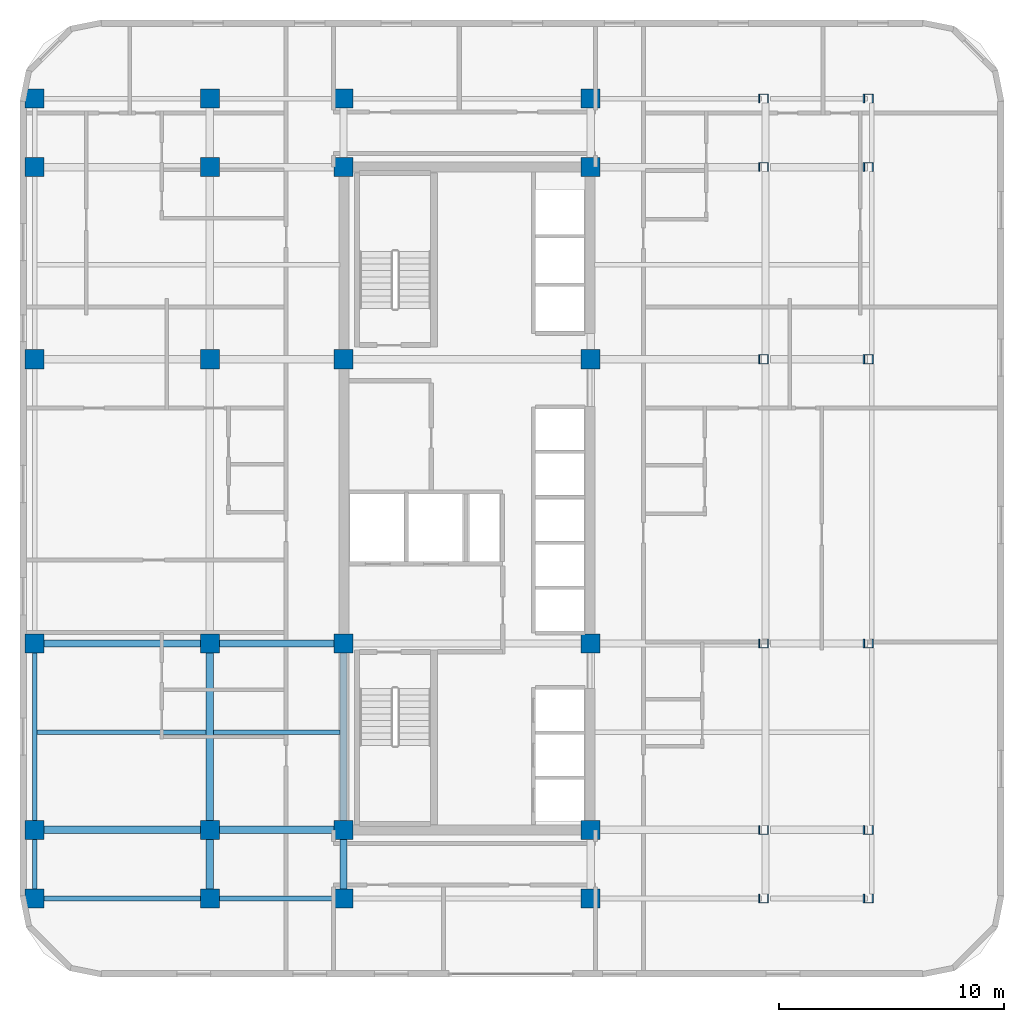
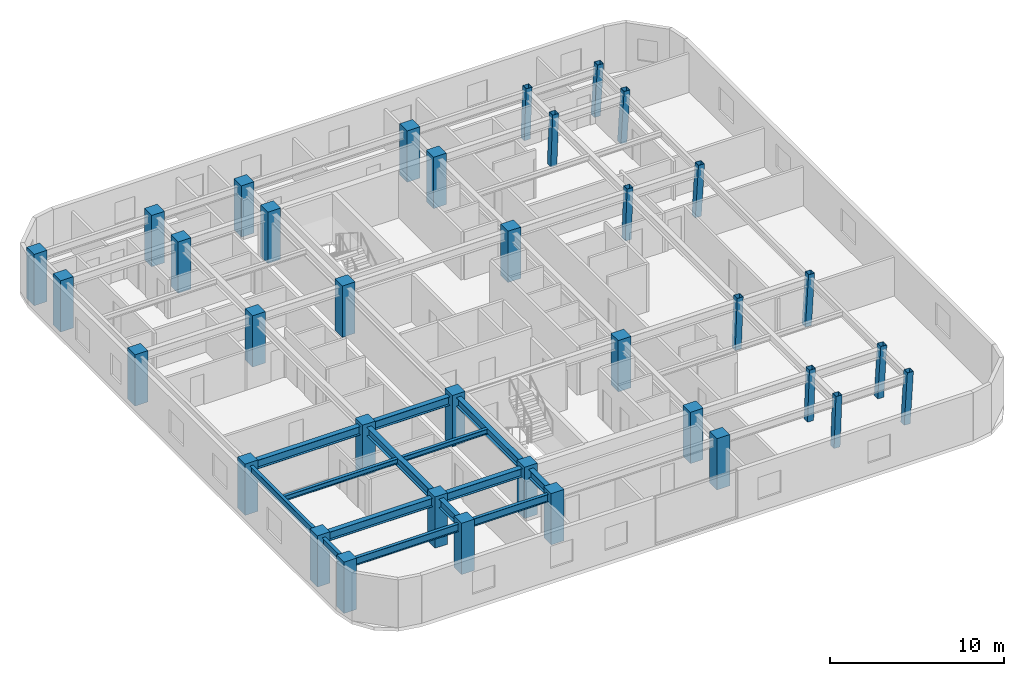
# One storey, part 1 of 9: 36 columns, 14 beams.
"""IFC4 building model written with IfcOpenShell, lengths in metres."""

from ifc_helpers import new_model, si_unit, direction, frame, origin, origin_2d, place, context, subcontext, project, spatial, rectangle, hollow_rectangle, i_section, extrude, material, material_profile, profile_set, type_object, element, save


model = new_model("IFC4")

# Units and contexts
model_context = context("Model", 3, precision=1e-05, world=origin(), true_north=direction((0.0, 1.0)))
body_context = subcontext(model_context, "Body", "Model", "MODEL_VIEW")
ifc_project = project(units=[si_unit("LENGTHUNIT", "METRE"), si_unit("AREAUNIT", "SQUARE_METRE"), si_unit("VOLUMEUNIT", "CUBIC_METRE"), si_unit("PLANEANGLEUNIT", "RADIAN"), si_unit("MASSUNIT", "GRAM", prefix="KILO")], contexts=[model_context])

# Site, building, storey
site_placement = place(None, origin())
site = spatial("IfcSite", under=ifc_project, at=site_placement, CompositionType="ELEMENT")
building_placement = place(site_placement, origin())
building = spatial("IfcBuilding", under=site, at=building_placement, Name="Ochreholt Gables", CompositionType="ELEMENT")
storey_placement = place(building_placement, frame((0.0, 0.0, 84.0)))
storey = spatial("IfcBuildingStorey", under=building, at=storey_placement, Name="L21", CompositionType="ELEMENT", Elevation=84.0)

# Columns
ifc_material_1 = material(Name="Steel CSA G40.21 350W", Category="steel")
ifc_material_profile_1 = material_profile(ifc_material_1, hollow_rectangle(XDim=0.406005859375, YDim=0.406005859375, WallThickness=0.01611328125, at=origin_2d()), Name="HSS406X406X16")
ifc_profile_set_1 = profile_set([ifc_material_profile_1], Name="Steel CSA G40.21 350W")
column_type_1 = type_object("IfcColumnType", Name="COL-HSS406-RAK", PredefinedType="COLUMN", material=ifc_profile_set_1)
for number, where, z_axis, x_axis, name in (
    (1, (42.8759765625, 9.25, 0.0), (0.034971136209, 0.0, 0.999388322742), (0.0, 1.0, 0.0), "L21 Column EMY2"),
    (2, (42.8759765625, 17.550048828125, 0.0), (0.034971136209, 0.0, 0.999388322742), (0.0, 1.0, 0.0), "L21 Column EMY3"),
    (3, (42.8759765625, 30.199951171875, 0.0), (0.034971136209, 0.0, 0.999388322742), (0.0, 1.0, 0.0), "L21 Column EMY4"),
    (4, (42.8759765625, 38.75, 0.0), (0.034971136209, 0.0, 0.999388322742), (0.0, 1.0, 0.0), "L21 Column EMY5"),
):
    element("IfcColumn", number, at=place(storey_placement, frame(where, z_axis=z_axis, x_axis=x_axis)), inside=storey, type_object=column_type_1, Name=name, PredefinedType="COLUMN", context=body_context, shape_type="SweptSolid", body=[
        extrude(hollow_rectangle(XDim=0.406005859375, YDim=0.406005859375, WallThickness=0.01611328125, at=origin_2d()), origin(), (0.0, 0.0, 1.0), 3.602294921875),
    ])
ifc_material_profile_2 = material_profile(ifc_material_1, hollow_rectangle(XDim=0.406005859375, YDim=0.406005859375, WallThickness=0.01611328125, at=origin_2d()), Name="HSS406X406X16")
ifc_profile_set_2 = profile_set([ifc_material_profile_2], Name="Steel CSA G40.21 350W")
column_type_2 = type_object("IfcColumnType", Name="COL-HSS406-RAKE", PredefinedType="COLUMN", material=ifc_profile_set_2)
for number, where, z_axis, x_axis, name in (
    (5, (42.8759765625, 6.199951171875, 0.0), (0.034971136209, 0.0, 0.999388322742), (0.0, 1.0, 0.0), "L21 Column EMY1"),
    (6, (42.8759765625, 41.800048828125, 0.0), (0.034971136209, 0.0, 0.999388322742), (0.0, 1.0, 0.0), "L21 Column EMY6"),
):
    element("IfcColumn", number, at=place(storey_placement, frame(where, z_axis=z_axis, x_axis=x_axis)), inside=storey, type_object=column_type_2, Name=name, PredefinedType="COLUMN", context=body_context, shape_type="SweptSolid", body=[
        extrude(hollow_rectangle(XDim=0.406005859375, YDim=0.406005859375, WallThickness=0.01611328125, at=origin_2d()), origin(), (0.0, 0.0, 1.0), 3.602294921875),
    ])
for number, where, z_axis, x_axis, name in (
    (7, (47.52880859375, 6.199951171875, 0.0), (0.057884606321, 0.0, 0.998323280481), (0.0, 1.0, 0.0), "L21 Column EEY1"),
    (8, (47.52880859375, 9.25, 0.0), (0.057884606321, 0.0, 0.998323280481), (0.0, 1.0, 0.0), "L21 Column EEY2"),
    (9, (47.52880859375, 17.550048828125, 0.0), (0.057884606321, 0.0, 0.998323280481), (0.0, 1.0, 0.0), "L21 Column EEY3"),
    (10, (47.52880859375, 30.199951171875, 0.0), (0.057884606321, 0.0, 0.998323280481), (0.0, 1.0, 0.0), "L21 Column EEY4"),
    (11, (47.52880859375, 38.75, 0.0), (0.057884606321, 0.0, 0.998323280481), (0.0, 1.0, 0.0), "L21 Column EEY5"),
    (12, (47.52880859375, 41.800048828125, 0.0), (0.057884606321, 0.0, 0.998323280481), (0.0, 1.0, 0.0), "L21 Column EEY6"),
):
    element("IfcColumn", number, at=place(storey_placement, frame(where, z_axis=z_axis, x_axis=x_axis)), inside=storey, type_object=column_type_2, Name=name, PredefinedType="COLUMN", context=body_context, shape_type="SweptSolid", body=[
        extrude(hollow_rectangle(XDim=0.406005859375, YDim=0.406005859375, WallThickness=0.01611328125, at=origin_2d()), origin(), (0.0, 0.0, 1.0), 3.606201171875),
    ])
ifc_material_2 = material(Name="Concrete 60 MPa", Category="concrete")
ifc_material_profile_3 = material_profile(ifc_material_2, rectangle(XDim=0.85009765625, YDim=0.85009765625, at=origin_2d()), Name="RC850X850")
ifc_profile_set_3 = profile_set([ifc_material_profile_3], Name="Concrete 60 MPa")
column_type_3 = type_object("IfcColumnType", Name="COL-RC850-EXT", PredefinedType="COLUMN", material=ifc_profile_set_3)
for number, where, z_axis, x_axis, name in (
    (13, (10.449951171875, 6.199951171875, 0.0), (0.0, 0.0, 1.0), (1.0, 0.0, 0.0), "L21 Column W2Y1"),
    (14, (10.449951171875, 9.25, 0.0), (0.0, 0.0, 1.0), (1.0, 0.0, 0.0), "L21 Column W2Y2"),
    (15, (10.449951171875, 17.550048828125, 0.0), (0.0, 0.0, 1.0), (1.0, 0.0, 0.0), "L21 Column W2Y3"),
    (16, (10.449951171875, 30.199951171875, 0.0), (0.0, 0.0, 1.0), (1.0, 0.0, 0.0), "L21 Column W2Y4"),
    (17, (10.449951171875, 38.75, 0.0), (0.0, 0.0, 1.0), (1.0, 0.0, 0.0), "L21 Column W2Y5"),
    (18, (10.449951171875, 41.800048828125, 0.0), (0.0, 0.0, 1.0), (1.0, 0.0, 0.0), "L21 Column W2Y6"),
    (19, (18.25, 6.199951171875, 0.0), (0.0, 0.0, 1.0), (1.0, 0.0, 0.0), "L21 Column W3Y1"),
    (20, (18.25, 41.800048828125, 0.0), (0.0, 0.0, 1.0), (1.0, 0.0, 0.0), "L21 Column W3Y6"),
    (21, (24.199951171875, 6.199951171875, 0.0), (0.0, 0.0, 1.0), (1.0, 0.0, 0.0), "L21 Column C1Y1"),
    (22, (24.199951171875, 41.800048828125, 0.0), (0.0, 0.0, 1.0), (1.0, 0.0, 0.0), "L21 Column C1Y6"),
    (23, (35.199951171875, 6.199951171875, 0.0), (0.0, 0.0, 1.0), (1.0, 0.0, 0.0), "L21 Column C2Y1"),
    (24, (35.199951171875, 41.800048828125, 0.0), (0.0, 0.0, 1.0), (1.0, 0.0, 0.0), "L21 Column C2Y6"),
):
    element("IfcColumn", number, at=place(storey_placement, frame(where, z_axis=z_axis, x_axis=x_axis)), inside=storey, type_object=column_type_3, Name=name, PredefinedType="COLUMN", context=body_context, shape_type="SweptSolid", body=[
        extrude(rectangle(XDim=0.85009765625, YDim=0.85009765625, at=origin_2d()), origin(), (0.0, 0.0, 1.0), 3.60009765625),
    ])
ifc_material_profile_4 = material_profile(ifc_material_2, rectangle(XDim=0.85009765625, YDim=0.85009765625, at=origin_2d()), Name="RC850X850")
ifc_profile_set_4 = profile_set([ifc_material_profile_4], Name="Concrete 60 MPa")
column_type_4 = type_object("IfcColumnType", Name="COL-RC850-INT", PredefinedType="COLUMN", material=ifc_profile_set_4)
for number, where, z_axis, x_axis, name in (
    (25, (18.25, 9.25, 0.0), (0.0, 0.0, 1.0), (1.0, 0.0, 0.0), "L21 Column W3Y2"),
    (26, (18.25, 17.550048828125, 0.0), (0.0, 0.0, 1.0), (1.0, 0.0, 0.0), "L21 Column W3Y3"),
    (27, (18.25, 30.199951171875, 0.0), (0.0, 0.0, 1.0), (1.0, 0.0, 0.0), "L21 Column W3Y4"),
    (28, (18.25, 38.75, 0.0), (0.0, 0.0, 1.0), (1.0, 0.0, 0.0), "L21 Column W3Y5"),
    (29, (24.199951171875, 9.25, 0.0), (0.0, 0.0, 1.0), (1.0, 0.0, 0.0), "L21 Column C1Y2"),
    (30, (24.199951171875, 17.550048828125, 0.0), (0.0, 0.0, 1.0), (1.0, 0.0, 0.0), "L21 Column C1Y3"),
    (31, (24.199951171875, 30.199951171875, 0.0), (0.0, 0.0, 1.0), (1.0, 0.0, 0.0), "L21 Column C1Y4"),
    (32, (24.199951171875, 38.75, 0.0), (0.0, 0.0, 1.0), (1.0, 0.0, 0.0), "L21 Column C1Y5"),
    (33, (35.199951171875, 9.25, 0.0), (0.0, 0.0, 1.0), (1.0, 0.0, 0.0), "L21 Column C2Y2"),
    (34, (35.199951171875, 17.550048828125, 0.0), (0.0, 0.0, 1.0), (1.0, 0.0, 0.0), "L21 Column C2Y3"),
    (35, (35.199951171875, 30.199951171875, 0.0), (0.0, 0.0, 1.0), (1.0, 0.0, 0.0), "L21 Column C2Y4"),
    (36, (35.199951171875, 38.75, 0.0), (0.0, 0.0, 1.0), (1.0, 0.0, 0.0), "L21 Column C2Y5"),
):
    element("IfcColumn", number, at=place(storey_placement, frame(where, z_axis=z_axis, x_axis=x_axis)), inside=storey, type_object=column_type_4, Name=name, PredefinedType="COLUMN", context=body_context, shape_type="SweptSolid", body=[
        extrude(rectangle(XDim=0.85009765625, YDim=0.85009765625, at=origin_2d()), origin(), (0.0, 0.0, 1.0), 3.60009765625),
    ])

# Beams
ifc_material_profile_5 = material_profile(ifc_material_1, i_section(OverallWidth=0.323974609375, OverallDepth=0.611083984375, WebThickness=0.0126953125, FlangeThickness=0.01904296875, at=origin_2d()), Name="W610X155")
ifc_profile_set_5 = profile_set([ifc_material_profile_5], Name="Steel CSA G40.21 350W")
beam_type_1 = type_object("IfcBeamType", Name="BM-G-W610A", PredefinedType="BEAM", material=ifc_profile_set_5)
beam_1_placement = place(storey_placement, frame((10.87451171875, 9.25, 3.054443359375), z_axis=(1.0, 0.0, 0.0), x_axis=(0.0, 1.0, 0.0)))
element("IfcBeam", 37, at=beam_1_placement, inside=storey, type_object=beam_type_1, Name="L21 Beam TBG-L21-W2W3-Y2", PredefinedType="BEAM", context=body_context, shape_type="SweptSolid", body=[
    extrude(i_section(OverallWidth=0.323974609375, OverallDepth=0.611083984375, WebThickness=0.0126953125, FlangeThickness=0.01904296875, at=origin_2d()), origin(), (0.0, 0.0, 1.0), 6.950927734375),
])
beam_2_placement = place(storey_placement, frame((18.674560546875, 9.25, 3.054443359375), z_axis=(1.0, 0.0, 0.0), x_axis=(0.0, 1.0, 0.0)))
element("IfcBeam", 38, at=beam_2_placement, inside=storey, type_object=beam_type_1, Name="L21 Beam TBG-L21-W3C1-Y2", PredefinedType="BEAM", context=body_context, shape_type="SweptSolid", body=[
    extrude(i_section(OverallWidth=0.323974609375, OverallDepth=0.611083984375, WebThickness=0.0126953125, FlangeThickness=0.01904296875, at=origin_2d()), origin(), (0.0, 0.0, 1.0), 5.100830078125),
])
beam_3_placement = place(storey_placement, frame((10.87451171875, 17.550048828125, 3.054443359375), z_axis=(1.0, 0.0, 0.0), x_axis=(0.0, 1.0, 0.0)))
element("IfcBeam", 39, at=beam_3_placement, inside=storey, type_object=beam_type_1, Name="L21 Beam TBG-L21-W2W3-Y3", PredefinedType="BEAM", context=body_context, shape_type="SweptSolid", body=[
    extrude(i_section(OverallWidth=0.323974609375, OverallDepth=0.611083984375, WebThickness=0.0126953125, FlangeThickness=0.01904296875, at=origin_2d()), origin(), (0.0, 0.0, 1.0), 6.950927734375),
])
beam_4_placement = place(storey_placement, frame((18.674560546875, 17.550048828125, 3.054443359375), z_axis=(1.0, 0.0, 0.0), x_axis=(0.0, 1.0, 0.0)))
element("IfcBeam", 40, at=beam_4_placement, inside=storey, type_object=beam_type_1, Name="L21 Beam TBG-L21-W3C1-Y3", PredefinedType="BEAM", context=body_context, shape_type="SweptSolid", body=[
    extrude(i_section(OverallWidth=0.323974609375, OverallDepth=0.611083984375, WebThickness=0.0126953125, FlangeThickness=0.01904296875, at=origin_2d()), origin(), (0.0, 0.0, 1.0), 5.100830078125),
])
beam_5_placement = place(storey_placement, frame((18.25, 6.62451171875, 3.054443359375), z_axis=(0.0, 1.0, 0.0), x_axis=(-1.0, 0.0, 0.0)))
element("IfcBeam", 41, at=beam_5_placement, inside=storey, type_object=beam_type_1, Name="L21 Beam TBN-L21-W3-Y1Y2", PredefinedType="BEAM", context=body_context, shape_type="SweptSolid", body=[
    extrude(i_section(OverallWidth=0.323974609375, OverallDepth=0.611083984375, WebThickness=0.0126953125, FlangeThickness=0.01904296875, at=origin_2d()), origin(), (0.0, 0.0, 1.0), 2.200927734375),
])
beam_6_placement = place(storey_placement, frame((18.25, 9.674560546875, 3.054443359375), z_axis=(0.0, 1.0, 0.0), x_axis=(-1.0, 0.0, 0.0)))
element("IfcBeam", 42, at=beam_6_placement, inside=storey, type_object=beam_type_1, Name="L21 Beam TBN-L21-W3-Y2Y3", PredefinedType="BEAM", context=body_context, shape_type="SweptSolid", body=[
    extrude(i_section(OverallWidth=0.323974609375, OverallDepth=0.611083984375, WebThickness=0.0126953125, FlangeThickness=0.01904296875, at=origin_2d()), origin(), (0.0, 0.0, 1.0), 7.450927734375),
])
beam_7_placement = place(storey_placement, frame((24.199951171875, 6.62451171875, 3.054443359375), z_axis=(0.0, 1.0, 0.0), x_axis=(-1.0, 0.0, 0.0)))
element("IfcBeam", 43, at=beam_7_placement, inside=storey, type_object=beam_type_1, Name="L21 Beam TBN-L21-C1-Y1Y2", PredefinedType="BEAM", context=body_context, shape_type="SweptSolid", body=[
    extrude(i_section(OverallWidth=0.323974609375, OverallDepth=0.611083984375, WebThickness=0.0126953125, FlangeThickness=0.01904296875, at=origin_2d()), origin(), (0.0, 0.0, 1.0), 2.200927734375),
])
beam_8_placement = place(storey_placement, frame((24.199951171875, 9.674560546875, 3.054443359375), z_axis=(0.0, 1.0, 0.0), x_axis=(-1.0, 0.0, 0.0)))
element("IfcBeam", 44, at=beam_8_placement, inside=storey, type_object=beam_type_1, Name="L21 Beam TBN-L21-C1-Y2Y3", PredefinedType="BEAM", context=body_context, shape_type="SweptSolid", body=[
    extrude(i_section(OverallWidth=0.323974609375, OverallDepth=0.611083984375, WebThickness=0.0126953125, FlangeThickness=0.01904296875, at=origin_2d()), origin(), (0.0, 0.0, 1.0), 7.450927734375),
])
ifc_material_profile_6 = material_profile(ifc_material_1, i_section(OverallWidth=0.205078125, OverallDepth=0.35400390625, WebThickness=0.009521484375, FlangeThickness=0.016845703125, at=origin_2d()), Name="W360X79")
ifc_profile_set_6 = profile_set([ifc_material_profile_6], Name="Steel CSA G40.21 350W")
beam_type_2 = type_object("IfcBeamType", Name="BM-J-W360A", PredefinedType="JOIST", material=ifc_profile_set_6)
beam_9_placement = place(storey_placement, frame((10.55419921875, 13.60009765625, 3.18310546875), z_axis=(1.0, 0.0, 0.0), x_axis=(0.0, 1.0, 0.0)))
element("IfcBeam", 45, at=beam_9_placement, inside=storey, type_object=beam_type_2, Name="L21 Beam TBJ-L21-J1-W2W3", PredefinedType="JOIST", context=body_context, shape_type="SweptSolid", body=[
    extrude(i_section(OverallWidth=0.205078125, OverallDepth=0.35400390625, WebThickness=0.009521484375, FlangeThickness=0.016845703125, at=origin_2d()), origin(), (0.0, 0.0, 1.0), 7.5341796875),
])
beam_10_placement = place(storey_placement, frame((18.41162109375, 13.60009765625, 3.18310546875), z_axis=(1.0, 0.0, 0.0), x_axis=(0.0, 1.0, 0.0)))
element("IfcBeam", 46, at=beam_10_placement, inside=storey, type_object=beam_type_2, Name="L21 Beam TBJ-L21-J1-W3C1", PredefinedType="JOIST", context=body_context, shape_type="SweptSolid", body=[
    extrude(i_section(OverallWidth=0.205078125, OverallDepth=0.35400390625, WebThickness=0.009521484375, FlangeThickness=0.016845703125, at=origin_2d()), origin(), (0.0, 0.0, 1.0), 5.626708984375),
])
ifc_material_profile_7 = material_profile(ifc_material_1, i_section(OverallWidth=0.208984375, OverallDepth=0.532958984375, WebThickness=0.01025390625, FlangeThickness=0.015625, at=origin_2d()), Name="W530X92")
ifc_profile_set_7 = profile_set([ifc_material_profile_7], Name="Steel CSA G40.21 350W")
beam_type_3 = type_object("IfcBeamType", Name="BM-SP-W530B", PredefinedType="SPANDREL", material=ifc_profile_set_7)
beam_11_placement = place(storey_placement, frame((10.87451171875, 6.199951171875, 3.093505859375), z_axis=(1.0, 0.0, 0.0), x_axis=(0.0, 1.0, 0.0)))
element("IfcBeam", 47, at=beam_11_placement, inside=storey, type_object=beam_type_3, Name="L21 Beam TBG-L21-W2W3-Y1", PredefinedType="SPANDREL", context=body_context, shape_type="SweptSolid", body=[
    extrude(i_section(OverallWidth=0.208984375, OverallDepth=0.532958984375, WebThickness=0.01025390625, FlangeThickness=0.015625, at=origin_2d()), origin(), (0.0, 0.0, 1.0), 6.950927734375),
])
beam_12_placement = place(storey_placement, frame((18.674560546875, 6.199951171875, 3.093505859375), z_axis=(1.0, 0.0, 0.0), x_axis=(0.0, 1.0, 0.0)))
element("IfcBeam", 48, at=beam_12_placement, inside=storey, type_object=beam_type_3, Name="L21 Beam TBG-L21-W3C1-Y1", PredefinedType="SPANDREL", context=body_context, shape_type="SweptSolid", body=[
    extrude(i_section(OverallWidth=0.208984375, OverallDepth=0.532958984375, WebThickness=0.01025390625, FlangeThickness=0.015625, at=origin_2d()), origin(), (0.0, 0.0, 1.0), 5.100830078125),
])
beam_13_placement = place(storey_placement, frame((10.449951171875, 6.62451171875, 3.093505859375), z_axis=(0.0, 1.0, 0.0), x_axis=(-1.0, 0.0, 0.0)))
element("IfcBeam", 49, at=beam_13_placement, inside=storey, type_object=beam_type_3, Name="L21 Beam TBN-L21-W2-Y1Y2", PredefinedType="SPANDREL", context=body_context, shape_type="SweptSolid", body=[
    extrude(i_section(OverallWidth=0.208984375, OverallDepth=0.532958984375, WebThickness=0.01025390625, FlangeThickness=0.015625, at=origin_2d()), origin(), (0.0, 0.0, 1.0), 2.200927734375),
])
beam_14_placement = place(storey_placement, frame((10.449951171875, 9.674560546875, 3.093505859375), z_axis=(0.0, 1.0, 0.0), x_axis=(-1.0, 0.0, 0.0)))
element("IfcBeam", 50, at=beam_14_placement, inside=storey, type_object=beam_type_3, Name="L21 Beam TBN-L21-W2-Y2Y3", PredefinedType="SPANDREL", context=body_context, shape_type="SweptSolid", body=[
    extrude(i_section(OverallWidth=0.208984375, OverallDepth=0.532958984375, WebThickness=0.01025390625, FlangeThickness=0.015625, at=origin_2d()), origin(), (0.0, 0.0, 1.0), 7.450927734375),
])

save(model, "model.ifc")
